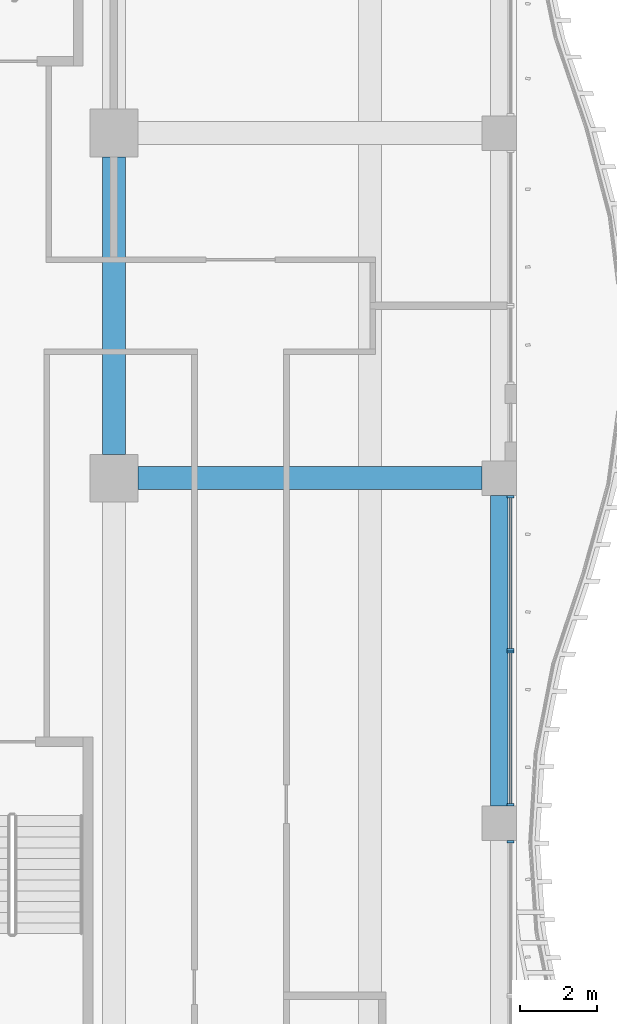
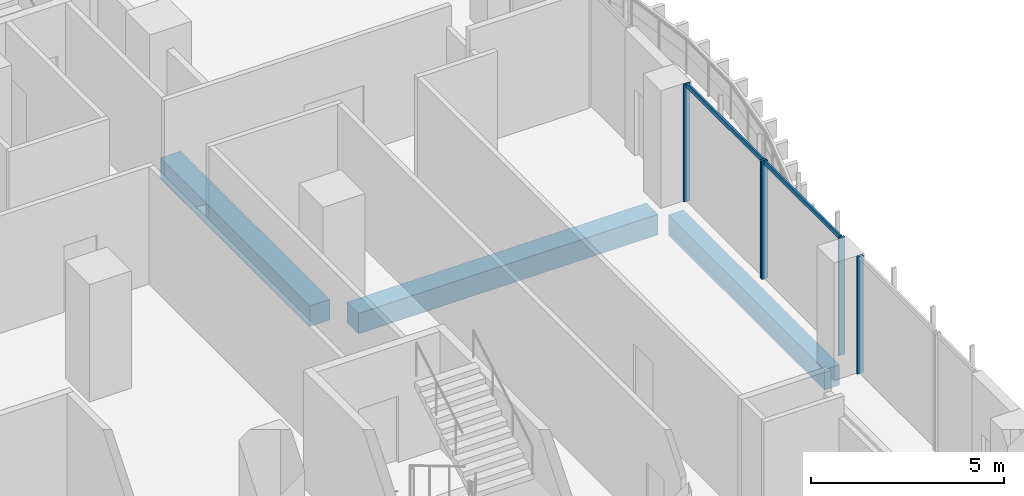
# One storey, part 7 of 29: 7 members, 3 beams, 3 elements without a shape of their own.
"""IFC4 building model written with IfcOpenShell, lengths in metres."""

from ifc_helpers import new_model, si_unit, direction, frame, origin, origin_2d, place, context, subcontext, project, spatial, rectangle, extrude, source, transform, mapped, material, material_profile, profile_set, type_object, element, aggregate, save


model = new_model("IFC4")

# Units and contexts
model_context = context("Model", 3, precision=1e-05, world=origin(), true_north=direction((0.0, 1.0)))
body_context = subcontext(model_context, "Body", "Model", "MODEL_VIEW")
ifc_project = project(units=[si_unit("LENGTHUNIT", "METRE"), si_unit("AREAUNIT", "SQUARE_METRE"), si_unit("VOLUMEUNIT", "CUBIC_METRE"), si_unit("PLANEANGLEUNIT", "RADIAN"), si_unit("MASSUNIT", "GRAM", prefix="KILO")], contexts=[model_context])

# Site, building, storey
site_placement = place(None, origin())
site = spatial("IfcSite", under=ifc_project, at=site_placement, CompositionType="ELEMENT")
building_placement = place(site_placement, origin())
building = spatial("IfcBuilding", under=site, at=building_placement, Name="Kilnfold Tower and Market Hall", CompositionType="ELEMENT")
storey_placement = place(building_placement, frame((0.0, 0.0, 79.199951171875)))
storey = spatial("IfcBuildingStorey", under=building, at=storey_placement, Name="L18", CompositionType="ELEMENT", Elevation=79.199951171875)

# Beams
ifc_material_1 = material(Name="Concrete C45", Category="concrete")
ifc_material_profile_1 = material_profile(ifc_material_1, rectangle(XDim=0.449951171875, YDim=0.64990234375, at=origin_2d()), Name="RC 450x650")
ifc_profile_set_1 = profile_set([ifc_material_profile_1], Name="Concrete C45")
beam_type_1 = type_object("IfcBeamType", Name="EDGE BEAM 450X650 C45", PredefinedType="BEAM", material=ifc_profile_set_1)
shared_shape_1 = source(origin(), body_context, "Body", "SweptSolid", [
    extrude(rectangle(XDim=0.449951171875, YDim=0.64990234375, at=origin_2d()), origin(), (0.0, 0.0, 1.0), 8.10009765625),
])
beam_1_placement = place(storey_placement, frame((32.550048828125, -9.550048828125, -0.60498046875), z_axis=(0.0, 1.0, 0.0), x_axis=(-1.0, 0.0, 0.0)))
element("IfcBeam", 1, at=beam_1_placement, inside=storey, type_object=beam_type_1, Name="Beam EB650-B2.101", PredefinedType="BEAM", context=body_context, shape_type="MappedRepresentation", body=[
    mapped(shared_shape_1, transform((0.0, 0.0, 0.0))),
])
ifc_material_2 = material(Name="Concrete C45", Category="concrete")
ifc_material_profile_2 = material_profile(ifc_material_2, rectangle(XDim=0.60009765625, YDim=0.64990234375, at=origin_2d()), Name="RC 600x650")
ifc_profile_set_2 = profile_set([ifc_material_profile_2], Name="Concrete C45")
beam_type_2 = type_object("IfcBeamType", Name="BEAM 600X650 C45", PredefinedType="BEAM", material=ifc_profile_set_2)
shared_shape_2 = source(origin(), body_context, "Body", "SweptSolid", [
    extrude(rectangle(XDim=0.60009765625, YDim=0.64990234375, at=origin_2d()), origin(), (0.0, 0.0, 1.0), 8.97509765625),
])
beam_2_placement = place(storey_placement, frame((23.125, -1.0, -0.60498046875), z_axis=(1.0, 0.0, 0.0), x_axis=(0.0, 1.0, 0.0)))
element("IfcBeam", 2, at=beam_2_placement, inside=storey, type_object=beam_type_2, Name="Beam BB650-B2.72", PredefinedType="BEAM", context=body_context, shape_type="MappedRepresentation", body=[
    mapped(shared_shape_2, transform((0.0, 0.0, 0.0))),
])
shared_shape_3 = source(origin(), body_context, "Body", "SweptSolid", [
    extrude(rectangle(XDim=0.60009765625, YDim=0.64990234375, at=origin_2d()), origin(), (0.0, 0.0, 1.0), 7.75),
])
beam_3_placement = place(storey_placement, frame((22.5, -0.375, -0.60498046875), z_axis=(0.0, 1.0, 0.0), x_axis=(-1.0, 0.0, 0.0)))
element("IfcBeam", 3, at=beam_3_placement, inside=storey, type_object=beam_type_2, Name="Beam BB650-B2.96", PredefinedType="BEAM", context=body_context, shape_type="MappedRepresentation", body=[
    mapped(shared_shape_3, transform((0.0, 0.0, 0.0))),
])

# Curtain wall, member
ifc_material_3 = material(Name="Aluminium and double glazing", Category="aluminium")
curtain_wall_type = type_object("IfcCurtainWallType", Name="CW OF1 VALLEY GLAZING", PredefinedType="NOTDEFINED", material=ifc_material_3)
curtain_wall_1_placement = place(storey_placement, origin())
curtain_wall_1 = element("IfcCurtainWall", 4, at=curtain_wall_1_placement, inside=storey, type_object=curtain_wall_type, Name="Curtain wall CW1 L18 E", PredefinedType="NOTDEFINED")
ifc_material_4 = material(Name="Aluminium", Category="aluminium")
ifc_material_profile_3 = material_profile(ifc_material_4, rectangle(XDim=0.06005859375, YDim=0.179931640625, at=origin_2d()), Name="MULLION 60x180")
ifc_profile_set_3 = profile_set([ifc_material_profile_3], Name="Aluminium")
member_type_1 = type_object("IfcMemberType", Name="MULLION 60X180", PredefinedType="MULLION", material=ifc_profile_set_3)
shared_shape_4 = source(origin(), body_context, "Body", "SweptSolid", [
    extrude(rectangle(XDim=0.06005859375, YDim=0.179931640625, at=origin_2d()), origin(), (0.0, 0.0, 1.0), 3.719970703125),
])
member_1_placement = place(storey_placement, frame((32.85009765625, -10.47998046875, 0.0), z_axis=(0.0, 0.0, 1.0), x_axis=(0.0, 1.0, 0.0)))
member_1 = element("IfcMember", 5, at=member_1_placement, type_object=member_type_1, Name="CW1 mullion 2", PredefinedType="MULLION", context=body_context, shape_type="MappedRepresentation", body=[
    mapped(shared_shape_4, transform((0.0, 0.0, 0.0))),
])
aggregate(curtain_wall_1, [member_1])

# Curtain wall, members
curtain_wall_2_placement = place(storey_placement, origin())
curtain_wall_2 = element("IfcCurtainWall", 6, at=curtain_wall_2_placement, inside=storey, type_object=curtain_wall_type, Name="Curtain wall CW1 L18 E", PredefinedType="NOTDEFINED")
member_2_placement = place(storey_placement, frame((32.85009765625, -9.52001953125, 0.0), z_axis=(0.0, 0.0, 1.0), x_axis=(0.0, 1.0, 0.0)))
member_2 = element("IfcMember", 7, at=member_2_placement, type_object=member_type_1, Name="CW1 mullion 1", PredefinedType="MULLION", context=body_context, shape_type="MappedRepresentation", body=[
    mapped(shared_shape_4, transform((0.0, 0.0, 0.0))),
])
member_3_placement = place(storey_placement, frame((32.85009765625, -5.530029296875, 0.0), z_axis=(0.0, 0.0, 1.0), x_axis=(0.0, 1.0, 0.0)))
member_3 = element("IfcMember", 8, at=member_3_placement, type_object=member_type_1, Name="CW1 mullion 2", PredefinedType="MULLION", context=body_context, shape_type="MappedRepresentation", body=[
    mapped(shared_shape_4, transform((0.0, 0.0, 0.0))),
])

curtain_wall_3_placement = place(storey_placement, origin())
curtain_wall_3 = element("IfcCurtainWall", 9, at=curtain_wall_3_placement, inside=storey, type_object=curtain_wall_type, Name="Curtain wall CW1 L18 E", PredefinedType="NOTDEFINED")
member_4_placement = place(storey_placement, frame((32.85009765625, -5.469970703125, 0.0), z_axis=(0.0, 0.0, 1.0), x_axis=(0.0, 1.0, 0.0)))
member_4 = element("IfcMember", 10, at=member_4_placement, type_object=member_type_1, Name="CW1 mullion 1", PredefinedType="MULLION", context=body_context, shape_type="MappedRepresentation", body=[
    mapped(shared_shape_4, transform((0.0, 0.0, 0.0))),
])
member_5_placement = place(storey_placement, frame((32.85009765625, -1.47998046875, 0.0), z_axis=(0.0, 0.0, 1.0), x_axis=(0.0, 1.0, 0.0)))
member_5 = element("IfcMember", 11, at=member_5_placement, type_object=member_type_1, Name="CW1 mullion 2", PredefinedType="MULLION", context=body_context, shape_type="MappedRepresentation", body=[
    mapped(shared_shape_4, transform((0.0, 0.0, 0.0))),
])

# Member
ifc_material_5 = material(Name="Aluminium", Category="aluminium")
ifc_material_profile_4 = material_profile(ifc_material_5, rectangle(XDim=0.06005859375, YDim=0.139892578125, at=origin_2d()), Name="TRANSOM 60x140")
ifc_profile_set_4 = profile_set([ifc_material_profile_4], Name="Aluminium")
member_type_2 = type_object("IfcMemberType", Name="TRANSOM 60X140", PredefinedType="USERDEFINED", material=ifc_profile_set_4)
shared_shape_5 = source(origin(), body_context, "Body", "SweptSolid", [
    extrude(rectangle(XDim=0.06005859375, YDim=0.139892578125, at=origin_2d()), origin(), (0.0, 0.0, 1.0), 3.929931640625),
])
member_6_placement = place(storey_placement, frame((32.85009765625, -9.489990234375, 3.68994140625), z_axis=(0.0, 1.0, 0.0), x_axis=(-1.0, 0.0, 0.0)))
member_6 = element("IfcMember", 12, at=member_6_placement, type_object=member_type_2, Name="CW1 transom 1.2", ObjectType="TRANSOM", PredefinedType="USERDEFINED", context=body_context, shape_type="MappedRepresentation", body=[
    mapped(shared_shape_5, transform((0.0, 0.0, 0.0))),
])

aggregate(curtain_wall_2, [member_2, member_3, member_6])

member_7_placement = place(storey_placement, frame((32.85009765625, -5.43994140625, 3.68994140625), z_axis=(0.0, 1.0, 0.0), x_axis=(-1.0, 0.0, 0.0)))
member_7 = element("IfcMember", 13, at=member_7_placement, type_object=member_type_2, Name="CW1 transom 1.2", ObjectType="TRANSOM", PredefinedType="USERDEFINED", context=body_context, shape_type="MappedRepresentation", body=[
    mapped(shared_shape_5, transform((0.0, 0.0, 0.0))),
])

aggregate(curtain_wall_3, [member_4, member_5, member_7])

save(model, "model.ifc")
